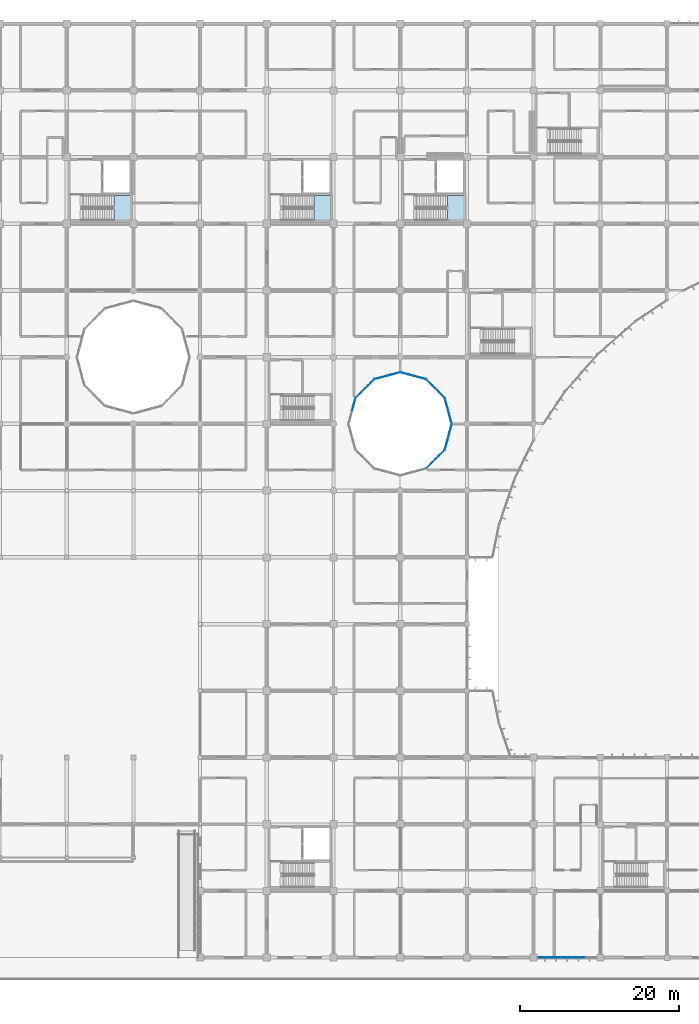
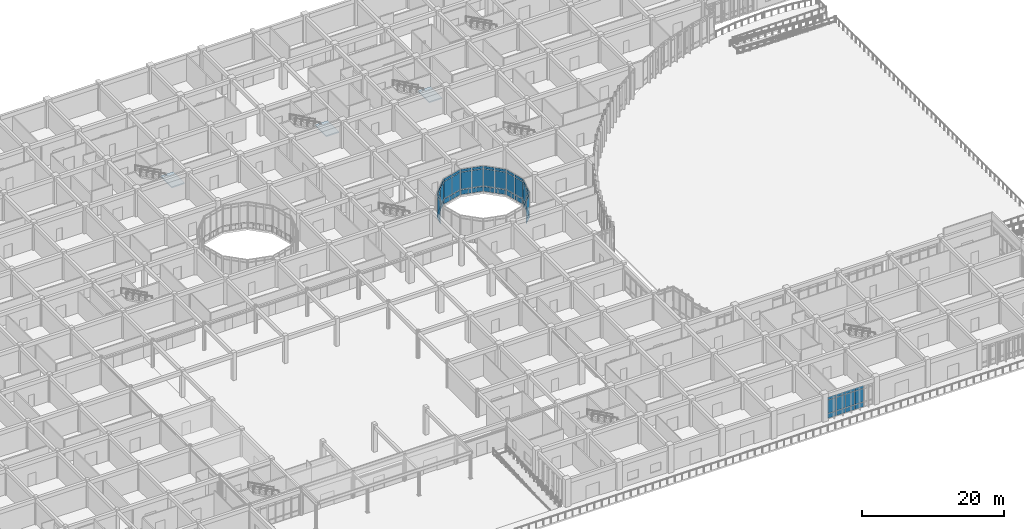
# One storey, part 75 of 138: 55 plates, 3 slabs, 12 elements without a shape of their own.
"""IFC4 building model written with IfcOpenShell, lengths in metres."""

from ifc_helpers import new_model, si_unit, direction, frame, origin, origin_2d, place, context, subcontext, project, spatial, polyline, rectangle, outline, extrude, material, layer, layer_set, type_object, element, aggregate, save


model = new_model("IFC4")

# Units and contexts
model_context = context("Model", 3, precision=1e-05, world=origin(), true_north=direction((0.0, 1.0)))
body_context = subcontext(model_context, "Body", "Model", "MODEL_VIEW")
ifc_project = project(units=[si_unit("LENGTHUNIT", "METRE"), si_unit("AREAUNIT", "SQUARE_METRE"), si_unit("VOLUMEUNIT", "CUBIC_METRE"), si_unit("PLANEANGLEUNIT", "RADIAN"), si_unit("MASSUNIT", "GRAM", prefix="KILO")], contexts=[model_context])

# Site, building, storey
site_placement = place(None, origin())
site = spatial("IfcSite", under=ifc_project, at=site_placement, CompositionType="ELEMENT")
building_placement = place(site_placement, origin())
building = spatial("IfcBuilding", under=site, at=building_placement, Name="Bramfleet General Hospital", CompositionType="ELEMENT")
storey_placement = place(building_placement, origin())
storey = spatial("IfcBuildingStorey", under=building, at=storey_placement, Name="L00", CompositionType="ELEMENT", Elevation=0.0)

# Curtain wall, plates
ifc_material_1 = material(Name="Anodised aluminium and low-E triple glazing", Category="aluminium")
ifc_layer_1 = layer(ifc_material_1, 0.179931640625, Name="CWT-CW-16")
ifc_layer_set_1 = layer_set([ifc_layer_1], Name="Anodised aluminium and low-E triple glazing")
curtain_wall_type_1 = type_object("IfcCurtainWallType", Name="CWT-CW-16", PredefinedType="USERDEFINED", material=ifc_layer_set_1)
curtain_wall_1_placement = place(storey_placement, origin())
curtain_wall_1 = element("IfcCurtainWall", 1, at=curtain_wall_1_placement, inside=storey, type_object=curtain_wall_type_1, Name="L00 Curtain Wall 34", ObjectType="Stick curtain wall", PredefinedType="USERDEFINED")
ifc_material_2 = material(Name="Low-E laminated safety glass", Category="glass")
ifc_layer_2 = layer(ifc_material_2, 0.031982421875, Name="CWP-GLZ-2")
ifc_layer_set_2 = layer_set([ifc_layer_2], Name="Low-E laminated safety glass")
plate_type = type_object("IfcPlateType", Name="CWP-GLZ-2", PredefinedType="CURTAIN_PANEL", material=ifc_layer_set_2)
plate_1_placement = place(storey_placement, frame((140.10498046875, 0.0, 0.06494140625), z_axis=(0.0, 0.0, 1.0), x_axis=(-1.0, 0.0, 0.0)))
plate_1 = element("IfcPlate", 2, at=plate_1_placement, type_object=plate_type, Name="CW-16 panel 2.1", PredefinedType="CURTAIN_PANEL", context=body_context, shape_type="SweptSolid", body=[
    extrude(rectangle(XDim=1.409912109375, YDim=0.031982421875, at=origin_2d()), origin(), (0.0, 0.0, 1.0), 0.802490234375),
])
plate_2_placement = place(storey_placement, frame((140.10498046875, 0.0, 0.9326171875), z_axis=(0.0, 0.0, 1.0), x_axis=(-1.0, 0.0, 0.0)))
plate_2 = element("IfcPlate", 3, at=plate_2_placement, type_object=plate_type, Name="CW-16 panel 2.2", PredefinedType="CURTAIN_PANEL", context=body_context, shape_type="SweptSolid", body=[
    extrude(rectangle(XDim=1.409912109375, YDim=0.031982421875, at=origin_2d()), origin(), (0.0, 0.0, 1.0), 2.27490234375),
])
plate_3_placement = place(storey_placement, frame((140.10498046875, 0.0, 3.2724609375), z_axis=(0.0, 0.0, 1.0), x_axis=(-1.0, 0.0, 0.0)))
plate_3 = element("IfcPlate", 4, at=plate_3_placement, type_object=plate_type, Name="CW-16 panel 2.3", PredefinedType="CURTAIN_PANEL", context=body_context, shape_type="SweptSolid", body=[
    extrude(rectangle(XDim=1.409912109375, YDim=0.031982421875, at=origin_2d()), origin(), (0.0, 0.0, 1.0), 0.452392578125),
])
plate_4_placement = place(storey_placement, frame((138.625, 0.0, 0.06494140625), z_axis=(0.0, 0.0, 1.0), x_axis=(-1.0, 0.0, 0.0)))
plate_4 = element("IfcPlate", 5, at=plate_4_placement, type_object=plate_type, Name="CW-16 panel 3.1", PredefinedType="CURTAIN_PANEL", context=body_context, shape_type="SweptSolid", body=[
    extrude(rectangle(XDim=1.409912109375, YDim=0.031982421875, at=origin_2d()), origin(), (0.0, 0.0, 1.0), 0.802490234375),
])
plate_5_placement = place(storey_placement, frame((138.625, 0.0, 0.9326171875), z_axis=(0.0, 0.0, 1.0), x_axis=(-1.0, 0.0, 0.0)))
plate_5 = element("IfcPlate", 6, at=plate_5_placement, type_object=plate_type, Name="CW-16 panel 3.2", PredefinedType="CURTAIN_PANEL", context=body_context, shape_type="SweptSolid", body=[
    extrude(rectangle(XDim=1.409912109375, YDim=0.031982421875, at=origin_2d()), origin(), (0.0, 0.0, 1.0), 2.27490234375),
])
plate_6_placement = place(storey_placement, frame((138.625, 0.0, 3.2724609375), z_axis=(0.0, 0.0, 1.0), x_axis=(-1.0, 0.0, 0.0)))
plate_6 = element("IfcPlate", 7, at=plate_6_placement, type_object=plate_type, Name="CW-16 panel 3.3", PredefinedType="CURTAIN_PANEL", context=body_context, shape_type="SweptSolid", body=[
    extrude(rectangle(XDim=1.409912109375, YDim=0.031982421875, at=origin_2d()), origin(), (0.0, 0.0, 1.0), 0.452392578125),
])
plate_7_placement = place(storey_placement, frame((137.14501953125, 0.0, 0.06494140625), z_axis=(0.0, 0.0, 1.0), x_axis=(-1.0, 0.0, 0.0)))
plate_7 = element("IfcPlate", 8, at=plate_7_placement, type_object=plate_type, Name="CW-16 panel 4.1", PredefinedType="CURTAIN_PANEL", context=body_context, shape_type="SweptSolid", body=[
    extrude(rectangle(XDim=1.409912109375, YDim=0.031982421875, at=origin_2d()), origin(), (0.0, 0.0, 1.0), 0.802490234375),
])
plate_8_placement = place(storey_placement, frame((137.14501953125, 0.0, 0.9326171875), z_axis=(0.0, 0.0, 1.0), x_axis=(-1.0, 0.0, 0.0)))
plate_8 = element("IfcPlate", 9, at=plate_8_placement, type_object=plate_type, Name="CW-16 panel 4.2", PredefinedType="CURTAIN_PANEL", context=body_context, shape_type="SweptSolid", body=[
    extrude(rectangle(XDim=1.409912109375, YDim=0.031982421875, at=origin_2d()), origin(), (0.0, 0.0, 1.0), 2.27490234375),
])
plate_9_placement = place(storey_placement, frame((137.14501953125, 0.0, 3.2724609375), z_axis=(0.0, 0.0, 1.0), x_axis=(-1.0, 0.0, 0.0)))
plate_9 = element("IfcPlate", 10, at=plate_9_placement, type_object=plate_type, Name="CW-16 panel 4.3", PredefinedType="CURTAIN_PANEL", context=body_context, shape_type="SweptSolid", body=[
    extrude(rectangle(XDim=1.409912109375, YDim=0.031982421875, at=origin_2d()), origin(), (0.0, 0.0, 1.0), 0.452392578125),
])
plate_10_placement = place(storey_placement, frame((135.6826171875, 0.0, 0.06494140625), z_axis=(0.0, 0.0, 1.0), x_axis=(-1.0, 0.0, 0.0)))
plate_10 = element("IfcPlate", 11, at=plate_10_placement, type_object=plate_type, Name="CW-16 panel 5.1", PredefinedType="CURTAIN_PANEL", context=body_context, shape_type="SweptSolid", body=[
    extrude(rectangle(XDim=1.375, YDim=0.031982421875, at=origin_2d()), origin(), (0.0, 0.0, 1.0), 0.802490234375),
])
plate_11_placement = place(storey_placement, frame((135.6826171875, 0.0, 0.9326171875), z_axis=(0.0, 0.0, 1.0), x_axis=(-1.0, 0.0, 0.0)))
plate_11 = element("IfcPlate", 12, at=plate_11_placement, type_object=plate_type, Name="CW-16 panel 5.2", PredefinedType="CURTAIN_PANEL", context=body_context, shape_type="SweptSolid", body=[
    extrude(rectangle(XDim=1.375, YDim=0.031982421875, at=origin_2d()), origin(), (0.0, 0.0, 1.0), 2.27490234375),
])
plate_12_placement = place(storey_placement, frame((135.6826171875, 0.0, 3.2724609375), z_axis=(0.0, 0.0, 1.0), x_axis=(-1.0, 0.0, 0.0)))
plate_12 = element("IfcPlate", 13, at=plate_12_placement, type_object=plate_type, Name="CW-16 panel 5.3", PredefinedType="CURTAIN_PANEL", context=body_context, shape_type="SweptSolid", body=[
    extrude(rectangle(XDim=1.375, YDim=0.031982421875, at=origin_2d()), origin(), (0.0, 0.0, 1.0), 0.452392578125),
])
aggregate(curtain_wall_1, [plate_1, plate_2, plate_3, plate_4, plate_5, plate_6, plate_7, plate_8, plate_9, plate_10, plate_11, plate_12])

ifc_layer_3 = layer(ifc_material_1, 0.179931640625, Name="CWT-CW-17")
ifc_layer_set_3 = layer_set([ifc_layer_3], Name="Anodised aluminium and low-E triple glazing")
curtain_wall_type_2 = type_object("IfcCurtainWallType", Name="CWT-CW-17", PredefinedType="USERDEFINED", material=ifc_layer_set_3)
curtain_wall_2_placement = place(storey_placement, origin())
curtain_wall_2 = element("IfcCurtainWall", 14, at=curtain_wall_2_placement, inside=storey, type_object=curtain_wall_type_2, Name="L00 East Laboratory Light Court Curtain Wall 5.1", ObjectType="Stick curtain wall", PredefinedType="USERDEFINED")
plate_13_placement = place(storey_placement, frame((121.45703125, 62.17822265625, 3.97265625), z_axis=(0.0, 0.0, 1.0), x_axis=(0.707106781187, 0.707106781187, 0.0)))
plate_13 = element("IfcPlate", 15, at=plate_13_placement, type_object=plate_type, Name="CW-17 panel 1.3", PredefinedType="CURTAIN_PANEL", context=body_context, shape_type="SweptSolid", body=[
    extrude(rectangle(XDim=1.5771484375, YDim=0.031982421875, at=origin_2d()), origin(), (0.0, 0.0, 1.0), 0.452392578125),
])
plate_14_placement = place(storey_placement, frame((122.621826171875, 63.3427734375, 0.06494140625), z_axis=(0.0, 0.0, 1.0), x_axis=(0.707106781187, 0.707106781187, 0.0)))
plate_14 = element("IfcPlate", 16, at=plate_14_placement, type_object=plate_type, Name="CW-17 panel 2.1", PredefinedType="CURTAIN_PANEL", context=body_context, shape_type="SweptSolid", body=[
    extrude(rectangle(XDim=1.5771484375, YDim=0.031982421875, at=origin_2d()), origin(), (0.0, 0.0, 1.0), 0.802490234375),
])
plate_15_placement = place(storey_placement, frame((122.621826171875, 63.3427734375, 0.932373046875), z_axis=(0.0, 0.0, 1.0), x_axis=(0.707106781187, 0.707106781187, 0.0)))
plate_15 = element("IfcPlate", 17, at=plate_15_placement, type_object=plate_type, Name="CW-17 panel 2.2", PredefinedType="CURTAIN_PANEL", context=body_context, shape_type="SweptSolid", body=[
    extrude(rectangle(XDim=1.5771484375, YDim=0.031982421875, at=origin_2d()), origin(), (0.0, 0.0, 1.0), 2.97509765625),
])
plate_16_placement = place(storey_placement, frame((122.621826171875, 63.3427734375, 3.97265625), z_axis=(0.0, 0.0, 1.0), x_axis=(0.707106781187, 0.707106781187, 0.0)))
plate_16 = element("IfcPlate", 18, at=plate_16_placement, type_object=plate_type, Name="CW-17 panel 2.3", PredefinedType="CURTAIN_PANEL", context=body_context, shape_type="SweptSolid", body=[
    extrude(rectangle(XDim=1.5771484375, YDim=0.031982421875, at=origin_2d()), origin(), (0.0, 0.0, 1.0), 0.452392578125),
])
aggregate(curtain_wall_2, [plate_13, plate_14, plate_15, plate_16])

ifc_layer_4 = layer(ifc_material_1, 0.179931640625, Name="CWT-CW-18")
ifc_layer_set_4 = layer_set([ifc_layer_4], Name="Anodised aluminium and low-E triple glazing")
curtain_wall_type_3 = type_object("IfcCurtainWallType", Name="CWT-CW-18", PredefinedType="USERDEFINED", material=ifc_layer_set_4)
curtain_wall_3_placement = place(storey_placement, origin())
curtain_wall_3 = element("IfcCurtainWall", 19, at=curtain_wall_3_placement, inside=storey, type_object=curtain_wall_type_3, Name="L00 East Laboratory Light Court Curtain Wall 6.1", ObjectType="Stick curtain wall", PredefinedType="USERDEFINED")
plate_17_placement = place(storey_placement, frame((123.451171875, 64.779296875, 0.06494140625), z_axis=(0.0, 0.0, 1.0), x_axis=(0.258864833085, 0.965913556273, 0.0)))
plate_17 = element("IfcPlate", 20, at=plate_17_placement, type_object=plate_type, Name="CW-18 panel 1.1", PredefinedType="CURTAIN_PANEL", context=body_context, shape_type="SweptSolid", body=[
    extrude(rectangle(XDim=1.577392578125, YDim=0.031982421875, at=origin_2d()), origin(), (0.0, 0.0, 1.0), 0.802490234375),
])
plate_18_placement = place(storey_placement, frame((123.451171875, 64.779296875, 0.932373046875), z_axis=(0.0, 0.0, 1.0), x_axis=(0.258864833085, 0.965913556273, 0.0)))
plate_18 = element("IfcPlate", 21, at=plate_18_placement, type_object=plate_type, Name="CW-18 panel 1.2", PredefinedType="CURTAIN_PANEL", context=body_context, shape_type="SweptSolid", body=[
    extrude(rectangle(XDim=1.577392578125, YDim=0.031982421875, at=origin_2d()), origin(), (0.0, 0.0, 1.0), 2.97509765625),
])
plate_19_placement = place(storey_placement, frame((123.451171875, 64.779296875, 3.97265625), z_axis=(0.0, 0.0, 1.0), x_axis=(0.258864833085, 0.965913556273, 0.0)))
plate_19 = element("IfcPlate", 22, at=plate_19_placement, type_object=plate_type, Name="CW-18 panel 1.3", PredefinedType="CURTAIN_PANEL", context=body_context, shape_type="SweptSolid", body=[
    extrude(rectangle(XDim=1.577392578125, YDim=0.031982421875, at=origin_2d()), origin(), (0.0, 0.0, 1.0), 0.452392578125),
])
plate_20_placement = place(storey_placement, frame((123.877685546875, 66.37060546875, 0.06494140625), z_axis=(0.0, 0.0, 1.0), x_axis=(0.258864833085, 0.965913556273, 0.0)))
plate_20 = element("IfcPlate", 23, at=plate_20_placement, type_object=plate_type, Name="CW-18 panel 2.1", PredefinedType="CURTAIN_PANEL", context=body_context, shape_type="SweptSolid", body=[
    extrude(rectangle(XDim=1.577392578125, YDim=0.031982421875, at=origin_2d()), origin(), (0.0, 0.0, 1.0), 0.802490234375),
])
plate_21_placement = place(storey_placement, frame((123.877685546875, 66.37060546875, 0.932373046875), z_axis=(0.0, 0.0, 1.0), x_axis=(0.258864833085, 0.965913556273, 0.0)))
plate_21 = element("IfcPlate", 24, at=plate_21_placement, type_object=plate_type, Name="CW-18 panel 2.2", PredefinedType="CURTAIN_PANEL", context=body_context, shape_type="SweptSolid", body=[
    extrude(rectangle(XDim=1.577392578125, YDim=0.031982421875, at=origin_2d()), origin(), (0.0, 0.0, 1.0), 2.97509765625),
])
plate_22_placement = place(storey_placement, frame((123.877685546875, 66.37060546875, 3.97265625), z_axis=(0.0, 0.0, 1.0), x_axis=(0.258864833085, 0.965913556273, 0.0)))
plate_22 = element("IfcPlate", 25, at=plate_22_placement, type_object=plate_type, Name="CW-18 panel 2.3", PredefinedType="CURTAIN_PANEL", context=body_context, shape_type="SweptSolid", body=[
    extrude(rectangle(XDim=1.577392578125, YDim=0.031982421875, at=origin_2d()), origin(), (0.0, 0.0, 1.0), 0.452392578125),
])
aggregate(curtain_wall_3, [plate_17, plate_18, plate_19, plate_20, plate_21, plate_22])

ifc_layer_5 = layer(ifc_material_1, 0.179931640625, Name="CWT-CW-11")
ifc_layer_set_5 = layer_set([ifc_layer_5], Name="Anodised aluminium and low-E triple glazing")
curtain_wall_type_4 = type_object("IfcCurtainWallType", Name="CWT-CW-11", PredefinedType="USERDEFINED", material=ifc_layer_set_5)
curtain_wall_4_placement = place(storey_placement, origin())
curtain_wall_4 = element("IfcCurtainWall", 26, at=curtain_wall_4_placement, inside=storey, type_object=curtain_wall_type_4, Name="L00 East Laboratory Light Court Curtain Wall 7.1", ObjectType="Stick curtain wall", PredefinedType="USERDEFINED")
plate_23_placement = place(storey_placement, frame((123.877685546875, 68.029296875, 0.06494140625), z_axis=(0.0, 0.0, 1.0), x_axis=(-0.258864833085, 0.965913556273, 0.0)))
plate_23 = element("IfcPlate", 27, at=plate_23_placement, type_object=plate_type, Name="CW-11 panel 1.1", PredefinedType="CURTAIN_PANEL", context=body_context, shape_type="SweptSolid", body=[
    extrude(rectangle(XDim=1.577392578125, YDim=0.031982421875, at=origin_2d()), origin(), (0.0, 0.0, 1.0), 0.802490234375),
])
plate_24_placement = place(storey_placement, frame((123.877685546875, 68.029296875, 0.932373046875), z_axis=(0.0, 0.0, 1.0), x_axis=(-0.258864833085, 0.965913556273, 0.0)))
plate_24 = element("IfcPlate", 28, at=plate_24_placement, type_object=plate_type, Name="CW-11 panel 1.2", PredefinedType="CURTAIN_PANEL", context=body_context, shape_type="SweptSolid", body=[
    extrude(rectangle(XDim=1.577392578125, YDim=0.031982421875, at=origin_2d()), origin(), (0.0, 0.0, 1.0), 2.97509765625),
])
plate_25_placement = place(storey_placement, frame((123.877685546875, 68.029296875, 3.97265625), z_axis=(0.0, 0.0, 1.0), x_axis=(-0.258864833085, 0.965913556273, 0.0)))
plate_25 = element("IfcPlate", 29, at=plate_25_placement, type_object=plate_type, Name="CW-11 panel 1.3", PredefinedType="CURTAIN_PANEL", context=body_context, shape_type="SweptSolid", body=[
    extrude(rectangle(XDim=1.577392578125, YDim=0.031982421875, at=origin_2d()), origin(), (0.0, 0.0, 1.0), 0.452392578125),
])
plate_26_placement = place(storey_placement, frame((123.451171875, 69.62060546875, 0.06494140625), z_axis=(0.0, 0.0, 1.0), x_axis=(-0.258864833085, 0.965913556273, 0.0)))
plate_26 = element("IfcPlate", 30, at=plate_26_placement, type_object=plate_type, Name="CW-11 panel 2.1", PredefinedType="CURTAIN_PANEL", context=body_context, shape_type="SweptSolid", body=[
    extrude(rectangle(XDim=1.577392578125, YDim=0.031982421875, at=origin_2d()), origin(), (0.0, 0.0, 1.0), 0.802490234375),
])
plate_27_placement = place(storey_placement, frame((123.451171875, 69.62060546875, 0.932373046875), z_axis=(0.0, 0.0, 1.0), x_axis=(-0.258864833085, 0.965913556273, 0.0)))
plate_27 = element("IfcPlate", 31, at=plate_27_placement, type_object=plate_type, Name="CW-11 panel 2.2", PredefinedType="CURTAIN_PANEL", context=body_context, shape_type="SweptSolid", body=[
    extrude(rectangle(XDim=1.577392578125, YDim=0.031982421875, at=origin_2d()), origin(), (0.0, 0.0, 1.0), 2.97509765625),
])
plate_28_placement = place(storey_placement, frame((123.451171875, 69.62060546875, 3.97265625), z_axis=(0.0, 0.0, 1.0), x_axis=(-0.258864833085, 0.965913556273, 0.0)))
plate_28 = element("IfcPlate", 32, at=plate_28_placement, type_object=plate_type, Name="CW-11 panel 2.3", PredefinedType="CURTAIN_PANEL", context=body_context, shape_type="SweptSolid", body=[
    extrude(rectangle(XDim=1.577392578125, YDim=0.031982421875, at=origin_2d()), origin(), (0.0, 0.0, 1.0), 0.452392578125),
])
aggregate(curtain_wall_4, [plate_23, plate_24, plate_25, plate_26, plate_27, plate_28])

ifc_layer_6 = layer(ifc_material_1, 0.179931640625, Name="CWT-CW-12")
ifc_layer_set_6 = layer_set([ifc_layer_6], Name="Anodised aluminium and low-E triple glazing")
curtain_wall_type_5 = type_object("IfcCurtainWallType", Name="CWT-CW-12", PredefinedType="USERDEFINED", material=ifc_layer_set_6)
curtain_wall_5_placement = place(storey_placement, origin())
curtain_wall_5 = element("IfcCurtainWall", 33, at=curtain_wall_5_placement, inside=storey, type_object=curtain_wall_type_5, Name="L00 East Laboratory Light Court Curtain Wall 8.1", ObjectType="Stick curtain wall", PredefinedType="USERDEFINED")
plate_29_placement = place(storey_placement, frame((122.621826171875, 71.05712890625, 0.06494140625), z_axis=(0.0, 0.0, 1.0), x_axis=(-0.707106781187, 0.707106781187, 0.0)))
plate_29 = element("IfcPlate", 34, at=plate_29_placement, type_object=plate_type, Name="CW-12 panel 1.1", PredefinedType="CURTAIN_PANEL", context=body_context, shape_type="SweptSolid", body=[
    extrude(rectangle(XDim=1.5771484375, YDim=0.031982421875, at=origin_2d()), origin(), (0.0, 0.0, 1.0), 0.802490234375),
])
plate_30_placement = place(storey_placement, frame((122.621826171875, 71.05712890625, 0.932373046875), z_axis=(0.0, 0.0, 1.0), x_axis=(-0.707106781187, 0.707106781187, 0.0)))
plate_30 = element("IfcPlate", 35, at=plate_30_placement, type_object=plate_type, Name="CW-12 panel 1.2", PredefinedType="CURTAIN_PANEL", context=body_context, shape_type="SweptSolid", body=[
    extrude(rectangle(XDim=1.5771484375, YDim=0.031982421875, at=origin_2d()), origin(), (0.0, 0.0, 1.0), 2.97509765625),
])
plate_31_placement = place(storey_placement, frame((122.621826171875, 71.05712890625, 3.97265625), z_axis=(0.0, 0.0, 1.0), x_axis=(-0.707106781187, 0.707106781187, 0.0)))
plate_31 = element("IfcPlate", 36, at=plate_31_placement, type_object=plate_type, Name="CW-12 panel 1.3", PredefinedType="CURTAIN_PANEL", context=body_context, shape_type="SweptSolid", body=[
    extrude(rectangle(XDim=1.5771484375, YDim=0.031982421875, at=origin_2d()), origin(), (0.0, 0.0, 1.0), 0.452392578125),
])
plate_32_placement = place(storey_placement, frame((121.45703125, 72.221923828125, 0.06494140625), z_axis=(0.0, 0.0, 1.0), x_axis=(-0.707106781187, 0.707106781187, 0.0)))
plate_32 = element("IfcPlate", 37, at=plate_32_placement, type_object=plate_type, Name="CW-12 panel 2.1", PredefinedType="CURTAIN_PANEL", context=body_context, shape_type="SweptSolid", body=[
    extrude(rectangle(XDim=1.5771484375, YDim=0.031982421875, at=origin_2d()), origin(), (0.0, 0.0, 1.0), 0.802490234375),
])
plate_33_placement = place(storey_placement, frame((121.45703125, 72.221923828125, 0.932373046875), z_axis=(0.0, 0.0, 1.0), x_axis=(-0.707106781187, 0.707106781187, 0.0)))
plate_33 = element("IfcPlate", 38, at=plate_33_placement, type_object=plate_type, Name="CW-12 panel 2.2", PredefinedType="CURTAIN_PANEL", context=body_context, shape_type="SweptSolid", body=[
    extrude(rectangle(XDim=1.5771484375, YDim=0.031982421875, at=origin_2d()), origin(), (0.0, 0.0, 1.0), 2.97509765625),
])
plate_34_placement = place(storey_placement, frame((121.45703125, 72.221923828125, 3.97265625), z_axis=(0.0, 0.0, 1.0), x_axis=(-0.707106781187, 0.707106781187, 0.0)))
plate_34 = element("IfcPlate", 39, at=plate_34_placement, type_object=plate_type, Name="CW-12 panel 2.3", PredefinedType="CURTAIN_PANEL", context=body_context, shape_type="SweptSolid", body=[
    extrude(rectangle(XDim=1.5771484375, YDim=0.031982421875, at=origin_2d()), origin(), (0.0, 0.0, 1.0), 0.452392578125),
])
aggregate(curtain_wall_5, [plate_29, plate_30, plate_31, plate_32, plate_33, plate_34])

ifc_layer_7 = layer(ifc_material_1, 0.179931640625, Name="CWT-CW-13")
ifc_layer_set_7 = layer_set([ifc_layer_7], Name="Anodised aluminium and low-E triple glazing")
curtain_wall_type_6 = type_object("IfcCurtainWallType", Name="CWT-CW-13", PredefinedType="USERDEFINED", material=ifc_layer_set_7)
curtain_wall_6_placement = place(storey_placement, origin())
curtain_wall_6 = element("IfcCurtainWall", 40, at=curtain_wall_6_placement, inside=storey, type_object=curtain_wall_type_6, Name="L00 East Laboratory Light Court Curtain Wall 9.1", ObjectType="Stick curtain wall", PredefinedType="USERDEFINED")
plate_35_placement = place(storey_placement, frame((120.0205078125, 73.05126953125, 0.06494140625), z_axis=(0.0, 0.0, 1.0), x_axis=(-0.965913556273, 0.258864833085, 0.0)))
plate_35 = element("IfcPlate", 41, at=plate_35_placement, type_object=plate_type, Name="CW-13 panel 1.1", PredefinedType="CURTAIN_PANEL", context=body_context, shape_type="SweptSolid", body=[
    extrude(rectangle(XDim=1.577392578125, YDim=0.031982421875, at=origin_2d()), origin(), (0.0, 0.0, 1.0), 0.802490234375),
])
plate_36_placement = place(storey_placement, frame((120.0205078125, 73.05126953125, 0.932373046875), z_axis=(0.0, 0.0, 1.0), x_axis=(-0.965913556273, 0.258864833085, 0.0)))
plate_36 = element("IfcPlate", 42, at=plate_36_placement, type_object=plate_type, Name="CW-13 panel 1.2", PredefinedType="CURTAIN_PANEL", context=body_context, shape_type="SweptSolid", body=[
    extrude(rectangle(XDim=1.577392578125, YDim=0.031982421875, at=origin_2d()), origin(), (0.0, 0.0, 1.0), 2.97509765625),
])
plate_37_placement = place(storey_placement, frame((120.0205078125, 73.05126953125, 3.97265625), z_axis=(0.0, 0.0, 1.0), x_axis=(-0.965913556273, 0.258864833085, 0.0)))
plate_37 = element("IfcPlate", 43, at=plate_37_placement, type_object=plate_type, Name="CW-13 panel 1.3", PredefinedType="CURTAIN_PANEL", context=body_context, shape_type="SweptSolid", body=[
    extrude(rectangle(XDim=1.577392578125, YDim=0.031982421875, at=origin_2d()), origin(), (0.0, 0.0, 1.0), 0.452392578125),
])
plate_38_placement = place(storey_placement, frame((118.429443359375, 73.477783203125, 0.06494140625), z_axis=(0.0, 0.0, 1.0), x_axis=(-0.965913556273, 0.258864833085, 0.0)))
plate_38 = element("IfcPlate", 44, at=plate_38_placement, type_object=plate_type, Name="CW-13 panel 2.1", PredefinedType="CURTAIN_PANEL", context=body_context, shape_type="SweptSolid", body=[
    extrude(rectangle(XDim=1.577392578125, YDim=0.031982421875, at=origin_2d()), origin(), (0.0, 0.0, 1.0), 0.802490234375),
])
plate_39_placement = place(storey_placement, frame((118.429443359375, 73.477783203125, 0.932373046875), z_axis=(0.0, 0.0, 1.0), x_axis=(-0.965913556273, 0.258864833085, 0.0)))
plate_39 = element("IfcPlate", 45, at=plate_39_placement, type_object=plate_type, Name="CW-13 panel 2.2", PredefinedType="CURTAIN_PANEL", context=body_context, shape_type="SweptSolid", body=[
    extrude(rectangle(XDim=1.577392578125, YDim=0.031982421875, at=origin_2d()), origin(), (0.0, 0.0, 1.0), 2.97509765625),
])
plate_40_placement = place(storey_placement, frame((118.429443359375, 73.477783203125, 3.97265625), z_axis=(0.0, 0.0, 1.0), x_axis=(-0.965913556273, 0.258864833085, 0.0)))
plate_40 = element("IfcPlate", 46, at=plate_40_placement, type_object=plate_type, Name="CW-13 panel 2.3", PredefinedType="CURTAIN_PANEL", context=body_context, shape_type="SweptSolid", body=[
    extrude(rectangle(XDim=1.577392578125, YDim=0.031982421875, at=origin_2d()), origin(), (0.0, 0.0, 1.0), 0.452392578125),
])
aggregate(curtain_wall_6, [plate_35, plate_36, plate_37, plate_38, plate_39, plate_40])

ifc_layer_8 = layer(ifc_material_1, 0.179931640625, Name="CWT-CW-14")
ifc_layer_set_8 = layer_set([ifc_layer_8], Name="Anodised aluminium and low-E triple glazing")
curtain_wall_type_7 = type_object("IfcCurtainWallType", Name="CWT-CW-14", PredefinedType="USERDEFINED", material=ifc_layer_set_8)
curtain_wall_7_placement = place(storey_placement, origin())
curtain_wall_7 = element("IfcCurtainWall", 47, at=curtain_wall_7_placement, inside=storey, type_object=curtain_wall_type_7, Name="L00 East Laboratory Light Court Curtain Wall 10.1", ObjectType="Stick curtain wall", PredefinedType="USERDEFINED")
plate_41_placement = place(storey_placement, frame((116.7705078125, 73.477783203125, 0.06494140625), z_axis=(0.0, 0.0, 1.0), x_axis=(-0.965913556273, -0.258864833085, 0.0)))
plate_41 = element("IfcPlate", 48, at=plate_41_placement, type_object=plate_type, Name="CW-14 panel 1.1", PredefinedType="CURTAIN_PANEL", context=body_context, shape_type="SweptSolid", body=[
    extrude(rectangle(XDim=1.577392578125, YDim=0.031982421875, at=origin_2d()), origin(), (0.0, 0.0, 1.0), 0.802490234375),
])
plate_42_placement = place(storey_placement, frame((116.7705078125, 73.477783203125, 0.932373046875), z_axis=(0.0, 0.0, 1.0), x_axis=(-0.965913556273, -0.258864833085, 0.0)))
plate_42 = element("IfcPlate", 49, at=plate_42_placement, type_object=plate_type, Name="CW-14 panel 1.2", PredefinedType="CURTAIN_PANEL", context=body_context, shape_type="SweptSolid", body=[
    extrude(rectangle(XDim=1.577392578125, YDim=0.031982421875, at=origin_2d()), origin(), (0.0, 0.0, 1.0), 2.97509765625),
])
plate_43_placement = place(storey_placement, frame((116.7705078125, 73.477783203125, 3.97265625), z_axis=(0.0, 0.0, 1.0), x_axis=(-0.965913556273, -0.258864833085, 0.0)))
plate_43 = element("IfcPlate", 50, at=plate_43_placement, type_object=plate_type, Name="CW-14 panel 1.3", PredefinedType="CURTAIN_PANEL", context=body_context, shape_type="SweptSolid", body=[
    extrude(rectangle(XDim=1.577392578125, YDim=0.031982421875, at=origin_2d()), origin(), (0.0, 0.0, 1.0), 0.452392578125),
])
plate_44_placement = place(storey_placement, frame((115.179443359375, 73.05126953125, 0.06494140625), z_axis=(0.0, 0.0, 1.0), x_axis=(-0.965913556273, -0.258864833085, 0.0)))
plate_44 = element("IfcPlate", 51, at=plate_44_placement, type_object=plate_type, Name="CW-14 panel 2.1", PredefinedType="CURTAIN_PANEL", context=body_context, shape_type="SweptSolid", body=[
    extrude(rectangle(XDim=1.577392578125, YDim=0.031982421875, at=origin_2d()), origin(), (0.0, 0.0, 1.0), 0.802490234375),
])
plate_45_placement = place(storey_placement, frame((115.179443359375, 73.05126953125, 0.932373046875), z_axis=(0.0, 0.0, 1.0), x_axis=(-0.965913556273, -0.258864833085, 0.0)))
plate_45 = element("IfcPlate", 52, at=plate_45_placement, type_object=plate_type, Name="CW-14 panel 2.2", PredefinedType="CURTAIN_PANEL", context=body_context, shape_type="SweptSolid", body=[
    extrude(rectangle(XDim=1.577392578125, YDim=0.031982421875, at=origin_2d()), origin(), (0.0, 0.0, 1.0), 2.97509765625),
])
plate_46_placement = place(storey_placement, frame((115.179443359375, 73.05126953125, 3.97265625), z_axis=(0.0, 0.0, 1.0), x_axis=(-0.965913556273, -0.258864833085, 0.0)))
plate_46 = element("IfcPlate", 53, at=plate_46_placement, type_object=plate_type, Name="CW-14 panel 2.3", PredefinedType="CURTAIN_PANEL", context=body_context, shape_type="SweptSolid", body=[
    extrude(rectangle(XDim=1.577392578125, YDim=0.031982421875, at=origin_2d()), origin(), (0.0, 0.0, 1.0), 0.452392578125),
])
aggregate(curtain_wall_7, [plate_41, plate_42, plate_43, plate_44, plate_45, plate_46])

ifc_layer_9 = layer(ifc_material_1, 0.179931640625, Name="CWT-CW-15")
ifc_layer_set_9 = layer_set([ifc_layer_9], Name="Anodised aluminium and low-E triple glazing")
curtain_wall_type_8 = type_object("IfcCurtainWallType", Name="CWT-CW-15", PredefinedType="USERDEFINED", material=ifc_layer_set_9)
curtain_wall_8_placement = place(storey_placement, origin())
curtain_wall_8 = element("IfcCurtainWall", 54, at=curtain_wall_8_placement, inside=storey, type_object=curtain_wall_type_8, Name="L00 East Laboratory Light Court Curtain Wall 11.1", ObjectType="Stick curtain wall", PredefinedType="USERDEFINED")
plate_47_placement = place(storey_placement, frame((113.742919921875, 72.221923828125, 0.06494140625), z_axis=(0.0, 0.0, 1.0), x_axis=(-0.707106781187, -0.707106781187, 0.0)))
plate_47 = element("IfcPlate", 55, at=plate_47_placement, type_object=plate_type, Name="CW-15 panel 1.1", PredefinedType="CURTAIN_PANEL", context=body_context, shape_type="SweptSolid", body=[
    extrude(rectangle(XDim=1.5771484375, YDim=0.031982421875, at=origin_2d()), origin(), (0.0, 0.0, 1.0), 0.802490234375),
])
plate_48_placement = place(storey_placement, frame((113.742919921875, 72.221923828125, 0.932373046875), z_axis=(0.0, 0.0, 1.0), x_axis=(-0.707106781187, -0.707106781187, 0.0)))
plate_48 = element("IfcPlate", 56, at=plate_48_placement, type_object=plate_type, Name="CW-15 panel 1.2", PredefinedType="CURTAIN_PANEL", context=body_context, shape_type="SweptSolid", body=[
    extrude(rectangle(XDim=1.5771484375, YDim=0.031982421875, at=origin_2d()), origin(), (0.0, 0.0, 1.0), 2.97509765625),
])
plate_49_placement = place(storey_placement, frame((113.742919921875, 72.221923828125, 3.97265625), z_axis=(0.0, 0.0, 1.0), x_axis=(-0.707106781187, -0.707106781187, 0.0)))
plate_49 = element("IfcPlate", 57, at=plate_49_placement, type_object=plate_type, Name="CW-15 panel 1.3", PredefinedType="CURTAIN_PANEL", context=body_context, shape_type="SweptSolid", body=[
    extrude(rectangle(XDim=1.5771484375, YDim=0.031982421875, at=origin_2d()), origin(), (0.0, 0.0, 1.0), 0.452392578125),
])
plate_50_placement = place(storey_placement, frame((112.578125, 71.05712890625, 0.06494140625), z_axis=(0.0, 0.0, 1.0), x_axis=(-0.707106781187, -0.707106781187, 0.0)))
plate_50 = element("IfcPlate", 58, at=plate_50_placement, type_object=plate_type, Name="CW-15 panel 2.1", PredefinedType="CURTAIN_PANEL", context=body_context, shape_type="SweptSolid", body=[
    extrude(rectangle(XDim=1.5771484375, YDim=0.031982421875, at=origin_2d()), origin(), (0.0, 0.0, 1.0), 0.802490234375),
])
plate_51_placement = place(storey_placement, frame((112.578125, 71.05712890625, 0.932373046875), z_axis=(0.0, 0.0, 1.0), x_axis=(-0.707106781187, -0.707106781187, 0.0)))
plate_51 = element("IfcPlate", 59, at=plate_51_placement, type_object=plate_type, Name="CW-15 panel 2.2", PredefinedType="CURTAIN_PANEL", context=body_context, shape_type="SweptSolid", body=[
    extrude(rectangle(XDim=1.5771484375, YDim=0.031982421875, at=origin_2d()), origin(), (0.0, 0.0, 1.0), 2.97509765625),
])
plate_52_placement = place(storey_placement, frame((112.578125, 71.05712890625, 3.97265625), z_axis=(0.0, 0.0, 1.0), x_axis=(-0.707106781187, -0.707106781187, 0.0)))
plate_52 = element("IfcPlate", 60, at=plate_52_placement, type_object=plate_type, Name="CW-15 panel 2.3", PredefinedType="CURTAIN_PANEL", context=body_context, shape_type="SweptSolid", body=[
    extrude(rectangle(XDim=1.5771484375, YDim=0.031982421875, at=origin_2d()), origin(), (0.0, 0.0, 1.0), 0.452392578125),
])
aggregate(curtain_wall_8, [plate_47, plate_48, plate_49, plate_50, plate_51, plate_52])

curtain_wall_9_placement = place(storey_placement, origin())
curtain_wall_9 = element("IfcCurtainWall", 61, at=curtain_wall_9_placement, inside=storey, type_object=curtain_wall_type_1, Name="L00 East Laboratory Light Court Curtain Wall 12.1", ObjectType="Stick curtain wall", PredefinedType="USERDEFINED")
plate_53_placement = place(storey_placement, frame((111.748779296875, 69.62060546875, 0.06494140625), z_axis=(0.0, 0.0, 1.0), x_axis=(-0.258864833085, -0.965913556273, 0.0)))
plate_53 = element("IfcPlate", 62, at=plate_53_placement, type_object=plate_type, Name="CW-16 panel 1.1", PredefinedType="CURTAIN_PANEL", context=body_context, shape_type="SweptSolid", body=[
    extrude(rectangle(XDim=1.577392578125, YDim=0.031982421875, at=origin_2d()), origin(), (0.0, 0.0, 1.0), 0.802490234375),
])
plate_54_placement = place(storey_placement, frame((111.748779296875, 69.62060546875, 0.932373046875), z_axis=(0.0, 0.0, 1.0), x_axis=(-0.258864833085, -0.965913556273, 0.0)))
plate_54 = element("IfcPlate", 63, at=plate_54_placement, type_object=plate_type, Name="CW-16 panel 1.2", PredefinedType="CURTAIN_PANEL", context=body_context, shape_type="SweptSolid", body=[
    extrude(rectangle(XDim=1.577392578125, YDim=0.031982421875, at=origin_2d()), origin(), (0.0, 0.0, 1.0), 2.97509765625),
])
plate_55_placement = place(storey_placement, frame((111.748779296875, 69.62060546875, 3.97265625), z_axis=(0.0, 0.0, 1.0), x_axis=(-0.258864833085, -0.965913556273, 0.0)))
plate_55 = element("IfcPlate", 64, at=plate_55_placement, type_object=plate_type, Name="CW-16 panel 1.3", PredefinedType="CURTAIN_PANEL", context=body_context, shape_type="SweptSolid", body=[
    extrude(rectangle(XDim=1.577392578125, YDim=0.031982421875, at=origin_2d()), origin(), (0.0, 0.0, 1.0), 0.452392578125),
])
aggregate(curtain_wall_9, [plate_53, plate_54, plate_55])

# Stair, slab
ifc_material_3 = material(Name="Concrete C35/45", Category="concrete")
stair_type = type_object("IfcStairType", Name="STR-T2", PredefinedType="HALF_TURN_STAIR", material=ifc_material_3)
stair_1_placement = place(storey_placement, origin())
stair_1 = element("IfcStair", 65, at=stair_1_placement, inside=storey, type_object=stair_type, Name="L00 Core C4 (Central Spine & Helipad Trauma) Protected Escape Stair", PredefinedType="HALF_TURN_STAIR")
ifc_layer_10 = layer(ifc_material_3, 0.199951171875, Name="SL-LND-200")
ifc_layer_set_10 = layer_set([ifc_layer_10], Name="Concrete C35/45")
slab_type = type_object("IfcSlabType", Name="SL-LND-200", PredefinedType="LANDING", material=ifc_layer_set_10)
slab_1_placement = place(storey_placement, frame((0.0, 0.0, 2.199951171875)))
slab_1 = element("IfcSlab", 66, at=slab_1_placement, type_object=slab_type, Name="ST-C4 landing 1", PredefinedType="LANDING", context=body_context, shape_type="SweptSolid", body=[
    extrude(outline(polyline([(106.77001953125, 92.820068359375), (108.860107421875, 92.820068359375), (108.860107421875, 95.97998046875), (106.77001953125, 95.97998046875), (106.77001953125, 92.820068359375)])), origin(), (0.0, 0.0, 1.0), 0.199951171875),
])
aggregate(stair_1, [slab_1])

stair_2_placement = place(storey_placement, origin())
stair_2 = element("IfcStair", 67, at=stair_2_placement, inside=storey, type_object=stair_type, Name="L00 Core C5 (North-West Ward Wing) Protected Escape Stair", PredefinedType="HALF_TURN_STAIR")
slab_2_placement = place(storey_placement, frame((0.0, 0.0, 2.199951171875)))
slab_2 = element("IfcSlab", 68, at=slab_2_placement, type_object=slab_type, Name="ST-C5 landing 1", PredefinedType="LANDING", context=body_context, shape_type="SweptSolid", body=[
    extrude(outline(polyline([(81.570068359375, 92.820068359375), (83.659912109375, 92.820068359375), (83.659912109375, 95.97998046875), (81.570068359375, 95.97998046875), (81.570068359375, 92.820068359375)])), origin(), (0.0, 0.0, 1.0), 0.199951171875),
])
aggregate(stair_2, [slab_2])

stair_3_placement = place(storey_placement, origin())
stair_3 = element("IfcStair", 69, at=stair_3_placement, inside=storey, type_object=stair_type, Name="L00 Core C6 (North-East Ward & Helipad) Protected Escape Stair", PredefinedType="HALF_TURN_STAIR")
slab_3_placement = place(storey_placement, frame((0.0, 0.0, 2.199951171875)))
slab_3 = element("IfcSlab", 70, at=slab_3_placement, type_object=slab_type, Name="ST-C6 landing 1", PredefinedType="LANDING", context=body_context, shape_type="SweptSolid", body=[
    extrude(outline(polyline([(123.570068359375, 92.820068359375), (125.659912109375, 92.820068359375), (125.659912109375, 95.97998046875), (123.570068359375, 95.97998046875), (123.570068359375, 92.820068359375)])), origin(), (0.0, 0.0, 1.0), 0.199951171875),
])
aggregate(stair_3, [slab_3])

save(model, "model.ifc")
